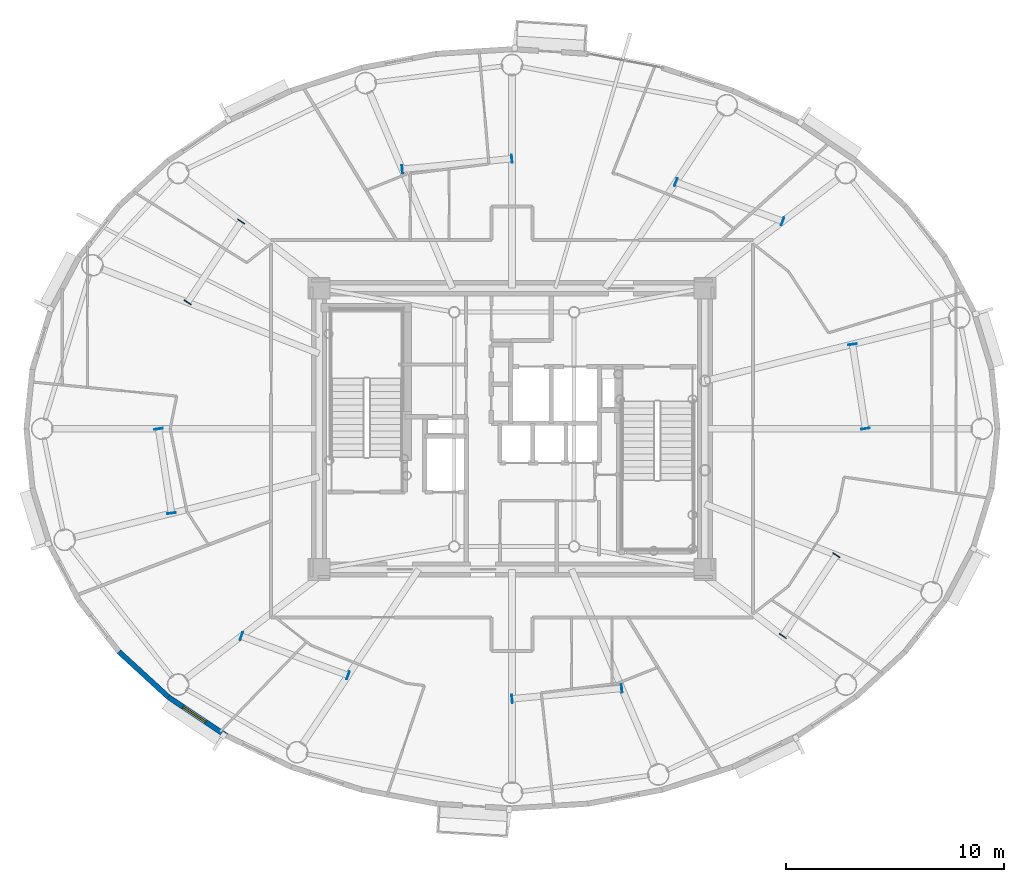
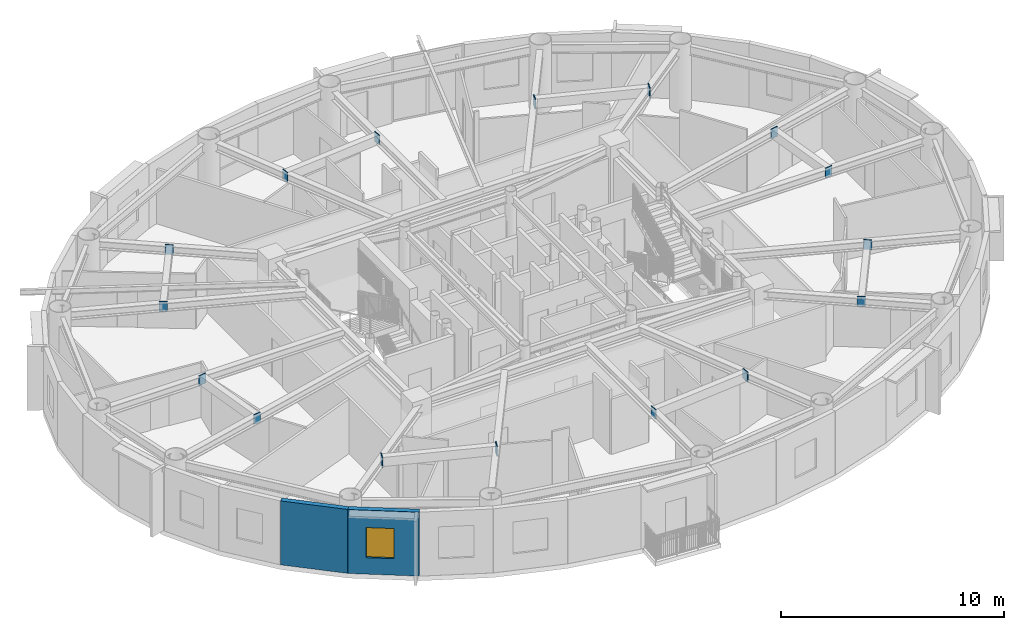
# One storey, part 6 of 20: 16 plates, 2 walls, 1 window, 1 opening.
"""IFC4 building model written with IfcOpenShell, lengths in metres."""

from ifc_helpers import new_model, si_unit, direction, frame, frame_2d, origin, origin_2d, place, context, subcontext, project, spatial, rectangle, extrude, source, transform, mapped, material, layer, layer_set, type_object, element, fill, save


model = new_model("IFC4")

# Units and contexts
model_context = context("Model", 3, precision=1e-05, world=origin(), true_north=direction((0.0, 1.0)))
body_context = subcontext(model_context, "Body", "Model", "MODEL_VIEW")
ifc_project = project(units=[si_unit("LENGTHUNIT", "METRE"), si_unit("AREAUNIT", "SQUARE_METRE"), si_unit("VOLUMEUNIT", "CUBIC_METRE"), si_unit("PLANEANGLEUNIT", "RADIAN"), si_unit("MASSUNIT", "GRAM", prefix="KILO")], contexts=[model_context])

# Site, building, storey
site_placement = place(None, origin())
site = spatial("IfcSite", under=ifc_project, at=site_placement, CompositionType="ELEMENT")
building_placement = place(site_placement, origin())
building = spatial("IfcBuilding", under=site, at=building_placement, Name="Linh Dai School and Residence Tower", CompositionType="ELEMENT")
storey_placement = place(building_placement, frame((0.0, 0.0, 288.0)))
storey = spatial("IfcBuildingStorey", under=building, at=storey_placement, Name="L71", CompositionType="ELEMENT", Elevation=288.0)

# Plates
ifc_material_1 = material(Name="Structural Steel S355JR", Category="steel")
ifc_layer_1 = layer(ifc_material_1, 0.0400390625)
ifc_layer_set_1 = layer_set([ifc_layer_1], Name="Structural Steel S355JR")
plate_type = type_object("IfcPlateType", Name="PLT-GP1", PredefinedType="USERDEFINED", material=ifc_layer_set_1)
shared_shape_1 = source(origin(), body_context, "Body", "SweptSolid", [
    extrude(rectangle(XDim=0.0400390625, YDim=0.3798828125, at=origin_2d()), origin(), (0.0, 0.0, 1.0), 0.5400390625),
])
for number, where, z_axis, x_axis, name in (
    (1, (52.21533203125, 27.0048828125, 2.97998046875), (0.0, 0.0, 1.0), (-0.152473707763, 0.988307527261, 0.0), "L71 Secondary Beam End Plate 01A"),
    (2, (51.61865234375, 30.87255859375, 2.97998046875), (0.0, 0.0, 1.0), (-0.152473707763, 0.988307527261, 0.0), "L71 Secondary Beam End Plate 01B"),
    (3, (48.4140625, 36.51611328125, 2.97998046875), (0.0, 0.0, 1.0), (-0.938695431921, 0.34474756865, 0.0), "L71 Secondary Beam End Plate 02A"),
    (4, (43.519287109375, 38.313720703125, 2.97998046875), (0.0, 0.0, 1.0), (-0.938695431921, 0.34474756865, 0.0), "L71 Secondary Beam End Plate 02B"),
    (5, (35.9951171875, 39.388671875, 2.97998046875), (0.0, 0.0, 1.0), (-0.995444959349, -0.095337992991, 0.0), "L71 Secondary Beam End Plate 03A"),
    (6, (30.965087890625, 38.906982421875, 2.97998046875), (0.0, 0.0, 1.0), (-0.995444959349, -0.095337992991, 0.0), "L71 Secondary Beam End Plate 03B"),
    (7, (23.57861328125, 36.51025390625, 2.97998046875), (0.0, 0.0, 1.0), (-0.552122484469, -0.833763013178, 0.0), "L71 Secondary Beam End Plate 04A"),
    (8, (21.123046875, 32.80224609375, 2.97998046875), (0.0, 0.0, 1.0), (-0.552122484469, -0.833763013178, 0.0), "L71 Secondary Beam End Plate 04B"),
    (9, (19.78466796875, 26.9951171875, 2.97998046875), (0.0, 0.0, 1.0), (0.152473707763, -0.988307527261, 0.0), "L71 Secondary Beam End Plate 05A"),
    (10, (20.38134765625, 23.12744140625, 2.97998046875), (0.0, 0.0, 1.0), (0.152473707763, -0.988307527261, 0.0), "L71 Secondary Beam End Plate 05B"),
    (11, (23.5859375, 17.48388671875, 2.97998046875), (0.0, 0.0, 1.0), (0.938695431921, -0.34474756865, 0.0), "L71 Secondary Beam End Plate 06A"),
    (12, (28.480712890625, 15.686279296875, 2.97998046875), (0.0, 0.0, 1.0), (0.938695431921, -0.34474756865, 0.0), "L71 Secondary Beam End Plate 06B"),
    (13, (36.0048828125, 14.611328125, 2.97998046875), (0.0, 0.0, 1.0), (0.995444959349, 0.095337992991, 0.0), "L71 Secondary Beam End Plate 07A"),
    (14, (41.034912109375, 15.093017578125, 2.97998046875), (0.0, 0.0, 1.0), (0.995444959349, 0.095337992991, 0.0), "L71 Secondary Beam End Plate 07B"),
    (15, (48.42138671875, 17.48974609375, 2.97998046875), (0.0, 0.0, 1.0), (0.552122484469, 0.833763013178, 0.0), "L71 Secondary Beam End Plate 08A"),
    (16, (50.876953125, 21.19775390625, 2.97998046875), (0.0, 0.0, 1.0), (0.552122484469, 0.833763013178, 0.0), "L71 Secondary Beam End Plate 08B"),
):
    element("IfcPlate", number, at=place(storey_placement, frame(where, z_axis=z_axis, x_axis=x_axis)), inside=storey, type_object=plate_type, Name=name, ObjectType="GUSSET PLATE", PredefinedType="USERDEFINED", context=body_context, shape_type="MappedRepresentation", body=[
        mapped(shared_shape_1, transform((0.0, 0.0, 0.0), x_axis=(1.0, 0.0, 0.0), y_axis=(0.0, 1.0, 0.0), z_axis=(0.0, 0.0, 1.0), scale=1.0)),
    ])

# Wall
ifc_material_2 = material(Name="Precast Concrete B45 (C35/45)", Category="concrete")
ifc_layer_2 = layer(ifc_material_2, 0.239990234375)
ifc_layer_set_2 = layer_set([ifc_layer_2], Name="Precast Concrete B45 (C35/45)")
wall_type = type_object("IfcWallType", Name="EW-TC-240", PredefinedType="SOLIDWALL", material=ifc_layer_set_2)
wall_1_placement = place(storey_placement, frame((20.23779296875, 14.69580078125, 0.0), z_axis=(0.0, 0.0, 1.0), x_axis=(-0.737068506972, 0.675818034703, 0.0)))
element("IfcWall", 17, at=wall_1_placement, inside=storey, type_object=wall_type, Name="L71 Terracotta Exterior Wall 25", PredefinedType="SOLIDWALL", context=body_context, shape_type="SweptSolid", body=[
    extrude(rectangle(XDim=3.0771484375, YDim=0.239990234375, at=frame_2d((1.53857421875, 0.0))), origin(), (0.0, 0.0, 1.0), 3.5),
])

# Wall, opening, window
wall_2_placement = place(storey_placement, frame((22.8955078125, 12.91845703125, 0.0), z_axis=(0.0, 0.0, 1.0), x_axis=(-0.831250592635, 0.55589787933, 0.0)))
wall_2 = element("IfcWall", 18, at=wall_2_placement, inside=storey, type_object=wall_type, Name="L71 Terracotta Exterior Wall 26", PredefinedType="SOLIDWALL", context=body_context, shape_type="SweptSolid", body=[
    extrude(rectangle(XDim=3.197265625, YDim=0.239990234375, at=frame_2d((1.5986328125, 0.0))), origin(), (0.0, 0.0, 1.0), 3.5),
])
opening_placement = place(wall_2_placement, frame((1.12890625, 0.0, 0.89990234375)))
opening = element("IfcOpeningElement", 19, at=opening_placement, cuts=wall_2, Name="Opening W3", PredefinedType="OPENING", context=body_context, shape_type="SweptSolid", body=[
    extrude(rectangle(XDim=1.25, YDim=1.64990234375, at=origin_2d()), frame((0.625, 0.1298828125, 0.824951171875), z_axis=(0.0, -1.0, 0.0), x_axis=(1.0, 0.0, 0.0)), (0.0, 0.0, 1.0), 0.260009765625),
])
ifc_material_3 = material(Name="Double Low-E Insulated Glazing", Category="glass")
window_type = type_object("IfcWindowType", Name="WN-RES-1250x1650", PartitioningType="SINGLE_PANEL", PredefinedType="WINDOW", material=ifc_material_3)
shared_shape_2 = source(origin(), body_context, "Body", "SweptSolid", [
    extrude(rectangle(XDim=1.25, YDim=1.64990234375, at=origin_2d()), frame((0.625, 0.030029296875, 0.824951171875), z_axis=(0.0, -1.0, 0.0), x_axis=(1.0, 0.0, 0.0)), (0.0, 0.0, 1.0), 0.06005859375),
])
window_placement = place(opening_placement, origin())
window = element("IfcWindow", 20, at=window_placement, inside=storey, type_object=window_type, Name="L71 Exterior Window 26.1", OverallHeight=1.64990234375, OverallWidth=1.25, PartitioningType="SINGLE_PANEL", PredefinedType="WINDOW", context=body_context, shape_type="MappedRepresentation", body=[
    mapped(shared_shape_2, transform((0.0, 0.0, 0.0), x_axis=(1.0, 0.0, 0.0), y_axis=(0.0, 1.0, 0.0), z_axis=(0.0, 0.0, 1.0), scale=1.0)),
])
fill(opening, window)

save(model, "model.ifc")
